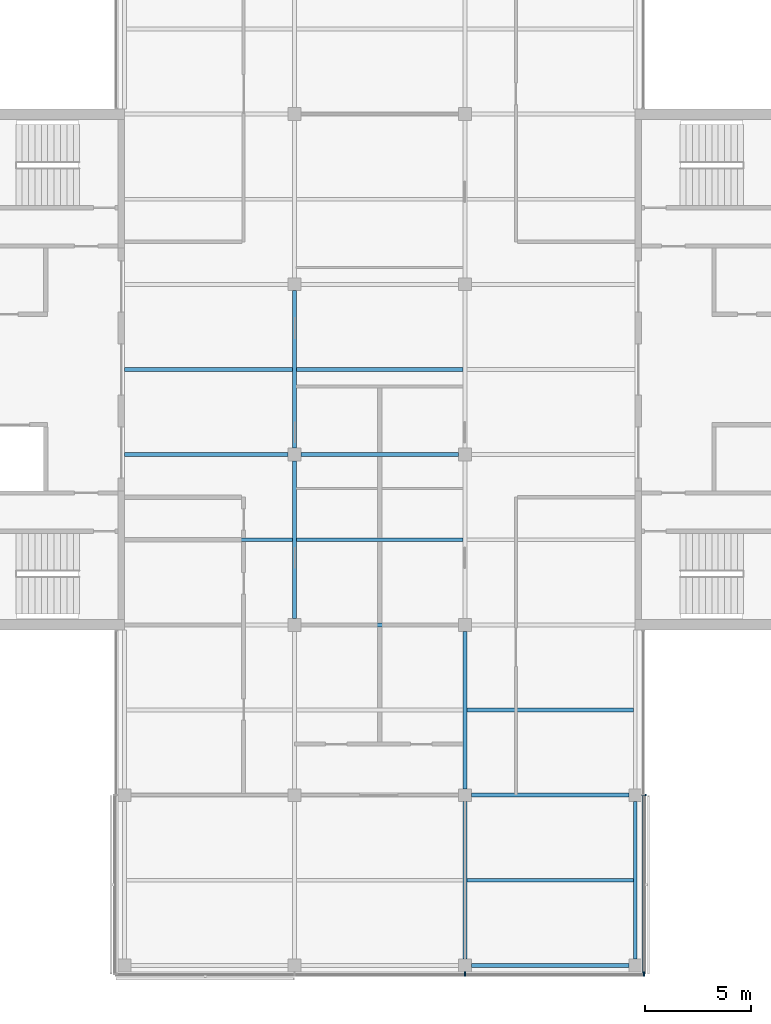
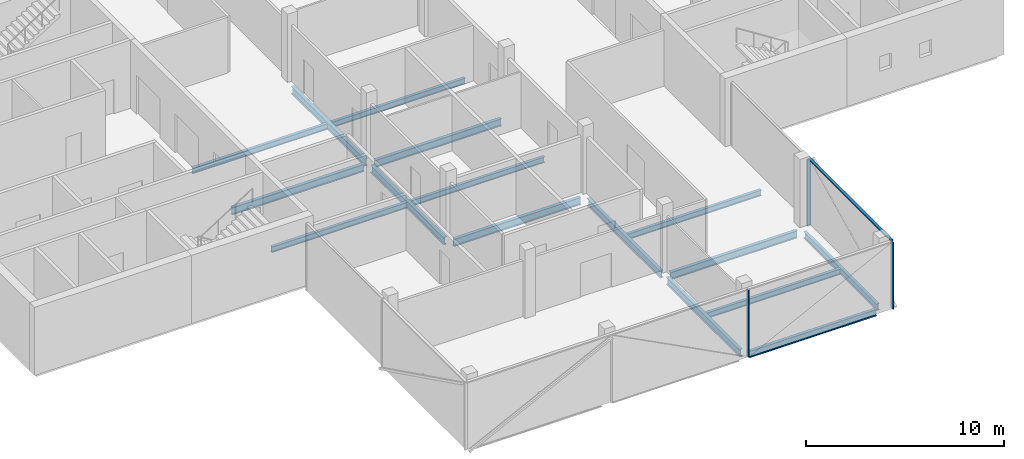
# One storey, part 3 of 15: 16 beams, 4 members, 2 elements without a shape of their own.
"""IFC4 building model written with IfcOpenShell, lengths in metres."""

from ifc_helpers import new_model, si_unit, direction, frame, origin, origin_2d, place, context, subcontext, project, spatial, rectangle, i_section, extrude, material, material_profile, profile_set, type_object, element, aggregate, save


model = new_model("IFC4")

# Units and contexts
model_context = context("Model", 3, precision=1e-05, world=origin(), true_north=direction((0.0, 1.0)))
body_context = subcontext(model_context, "Body", "Model", "MODEL_VIEW")
ifc_project = project(units=[si_unit("LENGTHUNIT", "METRE"), si_unit("AREAUNIT", "SQUARE_METRE"), si_unit("VOLUMEUNIT", "CUBIC_METRE"), si_unit("PLANEANGLEUNIT", "RADIAN"), si_unit("MASSUNIT", "GRAM", prefix="KILO")], contexts=[model_context])

# Site, building, storey
site_placement = place(None, origin())
site = spatial("IfcSite", under=ifc_project, at=site_placement, CompositionType="ELEMENT")
building_placement = place(site_placement, origin())
building = spatial("IfcBuilding", under=site, at=building_placement, Name="Crosswind Convention Tower", CompositionType="ELEMENT")
storey_placement = place(building_placement, frame((0.0, 0.0, 319.699951171875)))
storey = spatial("IfcBuildingStorey", under=building, at=storey_placement, Name="L69", CompositionType="ELEMENT", Elevation=319.699951171875)

# Beams
ifc_material_1 = material(Name="Steel S355", Category="steel")
ifc_material_profile_1 = material_profile(ifc_material_1, i_section(OverallWidth=0.177734375, OverallDepth=0.406494140625, WebThickness=0.0078125, FlangeThickness=0.0126953125, FilletRadius=0.01025390625, at=origin_2d()), Name="UB 406x178x60")
ifc_profile_set_1 = profile_set([ifc_material_profile_1], Name="Steel S355")
beam_type_1 = type_object("IfcBeamType", Name="Edge beam UB 406x178x60", PredefinedType="SPANDREL", material=ifc_profile_set_1)
for number, where, z_axis, x_axis, name in (
    (1, (129.300048828125, 72.0, -0.503173828125), (1.0, 0.0, 0.0), (0.0, 1.0, 0.0), "B15 L69 edge beam 9"),
    (2, (137.0, 72.300048828125, -0.503173828125), (0.0, 1.0, 0.0), (-1.0, 0.0, 0.0), "B15 L69 edge beam 11"),
):
    element("IfcBeam", number, at=place(storey_placement, frame(where, z_axis=z_axis, x_axis=x_axis)), inside=storey, type_object=beam_type_1, Name=name, PredefinedType="SPANDREL", context=body_context, shape_type="SweptSolid", body=[
        extrude(i_section(OverallWidth=0.177734375, OverallDepth=0.406494140625, WebThickness=0.0078125, FlangeThickness=0.0126953125, FilletRadius=0.01025390625, at=origin_2d()), origin(), (0.0, 0.0, 1.0), 7.39990234375),
    ])
ifc_material_profile_2 = material_profile(ifc_material_1, i_section(OverallWidth=0.18994140625, OverallDepth=0.45361328125, WebThickness=0.008544921875, FlangeThickness=0.0126953125, FilletRadius=0.01025390625, at=origin_2d()), Name="UB 457x191x67")
ifc_profile_set_2 = profile_set([ifc_material_profile_2], Name="Steel S355")
beam_type_2 = type_object("IfcBeamType", Name="Girder UB 457x191x67", PredefinedType="BEAM", material=ifc_profile_set_2)
for number, where, z_axis, x_axis, name in (
    (3, (121.0, 88.300048828125, -0.52685546875), (0.0, 1.0, 0.0), (-1.0, 0.0, 0.0), "B1 L69 girder 5"),
    (4, (121.0, 96.300048828125, -0.52685546875), (0.0, 1.0, 0.0), (-1.0, 0.0, 0.0), "B1 L69 girder 6"),
    (5, (121.300048828125, 88.0, -0.52685546875), (1.0, 0.0, 0.0), (0.0, 1.0, 0.0), "B1 L69 girder 11"),
    (6, (121.300048828125, 96.0, -0.52685546875), (1.0, 0.0, 0.0), (0.0, 1.0, 0.0), "B1 L69 girder 12"),
    (7, (129.0, 72.300048828125, -0.52685546875), (0.0, 1.0, 0.0), (-1.0, 0.0, 0.0), "B1 L69 girder 16"),
    (8, (129.0, 80.300048828125, -0.52685546875), (0.0, 1.0, 0.0), (-1.0, 0.0, 0.0), "B1 L69 girder 17"),
    (9, (129.300048828125, 80.0, -0.52685546875), (1.0, 0.0, 0.0), (0.0, 1.0, 0.0), "B1 L69 girder 23"),
):
    element("IfcBeam", number, at=place(storey_placement, frame(where, z_axis=z_axis, x_axis=x_axis)), inside=storey, type_object=beam_type_2, Name=name, PredefinedType="BEAM", context=body_context, shape_type="SweptSolid", body=[
        extrude(i_section(OverallWidth=0.18994140625, OverallDepth=0.45361328125, WebThickness=0.008544921875, FlangeThickness=0.0126953125, FilletRadius=0.01025390625, at=origin_2d()), origin(), (0.0, 0.0, 1.0), 7.39990234375),
    ])
ifc_material_profile_3 = material_profile(ifc_material_1, i_section(OverallWidth=0.1904296875, OverallDepth=0.457275390625, WebThickness=0.009033203125, FlangeThickness=0.014404296875, FilletRadius=0.01025390625, at=origin_2d()), Name="UB 457x191x75")
ifc_profile_set_3 = profile_set([ifc_material_profile_3], Name="Steel S355")
beam_type_3 = type_object("IfcBeamType", Name="Girder at core wall UB 457x191x75", PredefinedType="BEAM", material=ifc_profile_set_3)
beam_placement = place(storey_placement, frame((113.0, 96.0, -0.528564453125), z_axis=(1.0, 0.0, 0.0), x_axis=(0.0, 1.0, 0.0)))
element("IfcBeam", 10, at=beam_placement, inside=storey, type_object=beam_type_3, Name="B22 L69 girder at core wall 2", PredefinedType="BEAM", context=body_context, shape_type="SweptSolid", body=[
    extrude(i_section(OverallWidth=0.1904296875, OverallDepth=0.457275390625, WebThickness=0.009033203125, FlangeThickness=0.014404296875, FilletRadius=0.01025390625, at=origin_2d()), origin(), (0.0, 0.0, 1.0), 7.699951171875),
])

# Curtain wall, members
ifc_material_2 = material(Name="Aluminium unitised curtain wall", Category="aluminium")
curtain_wall_type = type_object("IfcCurtainWallType", Name="OFFICE UNITISED WALL 220", PredefinedType="USERDEFINED", material=ifc_material_2)
curtain_wall_1_placement = place(storey_placement, origin())
curtain_wall_1 = element("IfcCurtainWall", 11, at=curtain_wall_1_placement, inside=storey, type_object=curtain_wall_type, Name="CW3 L69 S-TIP 1", ObjectType="UNITISED", PredefinedType="USERDEFINED")
ifc_material_3 = material(Name="Aluminium mullion", Category="aluminium")
ifc_material_profile_4 = material_profile(ifc_material_3, rectangle(XDim=0.219970703125, YDim=0.070068359375, at=origin_2d()), Name="AL 220X70")
ifc_profile_set_4 = profile_set([ifc_material_profile_4], Name="Aluminium mullion")
member_type_1 = type_object("IfcMemberType", Name="MULLION 70X220", PredefinedType="MULLION", material=ifc_profile_set_4)
member_1_placement = place(storey_placement, frame((129.0, 71.590087890625, -0.300048828125), z_axis=(0.0, 0.0, 1.0), x_axis=(0.0, -1.0, 0.0)))
member_1 = element("IfcMember", 12, at=member_1_placement, type_object=member_type_1, Name="CW3 mullion 3", PredefinedType="MULLION", context=body_context, shape_type="SweptSolid", body=[
    extrude(rectangle(XDim=0.219970703125, YDim=0.070068359375, at=origin_2d()), origin(), (0.0, 0.0, 1.0), 4.130126953125),
])
member_2_placement = place(storey_placement, frame((137.409912109375, 71.590087890625, -0.300048828125), z_axis=(0.0, 0.0, 1.0), x_axis=(0.0, -1.0, 0.0)))
member_2 = element("IfcMember", 13, at=member_2_placement, type_object=member_type_1, Name="CW3 mullion 4", PredefinedType="MULLION", context=body_context, shape_type="SweptSolid", body=[
    extrude(rectangle(XDim=0.219970703125, YDim=0.070068359375, at=origin_2d()), origin(), (0.0, 0.0, 1.0), 4.130126953125),
])
aggregate(curtain_wall_1, [member_1, member_2])

# Curtain wall, member
curtain_wall_2_placement = place(storey_placement, origin())
curtain_wall_2 = element("IfcCurtainWall", 14, at=curtain_wall_2_placement, inside=storey, type_object=curtain_wall_type, Name="CW3 L69 S-E 1", ObjectType="UNITISED", PredefinedType="USERDEFINED")
member_3_placement = place(storey_placement, frame((137.409912109375, 80.0, -0.300048828125), z_axis=(0.0, 0.0, 1.0), x_axis=(1.0, 0.0, 0.0)))
member_3 = element("IfcMember", 15, at=member_3_placement, type_object=member_type_1, Name="CW3 mullion 2", PredefinedType="MULLION", context=body_context, shape_type="SweptSolid", body=[
    extrude(rectangle(XDim=0.219970703125, YDim=0.070068359375, at=origin_2d()), origin(), (0.0, 0.0, 1.0), 4.130126953125),
])

# Beams
ifc_material_profile_5 = material_profile(ifc_material_1, i_section(OverallWidth=0.17138671875, OverallDepth=0.355712890625, WebThickness=0.00732421875, FlangeThickness=0.011474609375, FilletRadius=0.01025390625, at=origin_2d()), Name="UB 356x171x51")
ifc_profile_set_5 = profile_set([ifc_material_profile_5], Name="Steel S355")
beam_type_4 = type_object("IfcBeamType", Name="Secondary beam UB 356x171x51", PredefinedType="JOIST", material=ifc_profile_set_5)
for number, where, z_axis, x_axis, name in (
    (16, (113.0, 92.0, -0.477783203125), (1.0, 0.0, 0.0), (0.0, 1.0, 0.0), "B8 L69 secondary beam 1"),
    (17, (113.0, 100.0, -0.477783203125), (1.0, 0.0, 0.0), (0.0, 1.0, 0.0), "B8 L69 secondary beam 2"),
):
    element("IfcBeam", number, at=place(storey_placement, frame(where, z_axis=z_axis, x_axis=x_axis)), inside=storey, type_object=beam_type_4, Name=name, PredefinedType="JOIST", context=body_context, shape_type="SweptSolid", body=[
        extrude(i_section(OverallWidth=0.17138671875, OverallDepth=0.355712890625, WebThickness=0.00732421875, FlangeThickness=0.011474609375, FilletRadius=0.01025390625, at=origin_2d()), origin(), (0.0, 0.0, 1.0), 7.905029296875),
    ])
for number, where, z_axis, x_axis, name in (
    (18, (121.094970703125, 92.0, -0.477783203125), (1.0, 0.0, 0.0), (0.0, 1.0, 0.0), "B8 L69 secondary beam 10"),
    (19, (121.094970703125, 100.0, -0.477783203125), (1.0, 0.0, 0.0), (0.0, 1.0, 0.0), "B8 L69 secondary beam 11"),
):
    element("IfcBeam", number, at=place(storey_placement, frame(where, z_axis=z_axis, x_axis=x_axis)), inside=storey, type_object=beam_type_4, Name=name, PredefinedType="JOIST", context=body_context, shape_type="SweptSolid", body=[
        extrude(i_section(OverallWidth=0.17138671875, OverallDepth=0.355712890625, WebThickness=0.00732421875, FlangeThickness=0.011474609375, FilletRadius=0.01025390625, at=origin_2d()), origin(), (0.0, 0.0, 1.0), 7.81005859375),
    ])
for number, where, z_axis, x_axis, name in (
    (20, (129.094970703125, 76.0, -0.477783203125), (1.0, 0.0, 0.0), (0.0, 1.0, 0.0), "B8 L69 secondary beam 15"),
    (21, (129.094970703125, 84.0, -0.477783203125), (1.0, 0.0, 0.0), (0.0, 1.0, 0.0), "B8 L69 secondary beam 16"),
):
    element("IfcBeam", number, at=place(storey_placement, frame(where, z_axis=z_axis, x_axis=x_axis)), inside=storey, type_object=beam_type_4, Name=name, PredefinedType="JOIST", context=body_context, shape_type="SweptSolid", body=[
        extrude(i_section(OverallWidth=0.17138671875, OverallDepth=0.355712890625, WebThickness=0.00732421875, FlangeThickness=0.011474609375, FilletRadius=0.01025390625, at=origin_2d()), origin(), (0.0, 0.0, 1.0), 7.816162109375),
    ])

# Member
ifc_material_4 = material(Name="Aluminium transom", Category="aluminium")
ifc_material_profile_6 = material_profile(ifc_material_4, rectangle(XDim=0.159912109375, YDim=0.070068359375, at=origin_2d()), Name="AL 160X70")
ifc_profile_set_6 = profile_set([ifc_material_profile_6], Name="Aluminium transom")
member_type_2 = type_object("IfcMemberType", Name="TRANSOM 70X160", PredefinedType="USERDEFINED", material=ifc_profile_set_6)
member_4_placement = place(storey_placement, frame((137.409912109375, 71.625, 3.864990234375), z_axis=(0.0, 1.0, 0.0), x_axis=(-1.0, 0.0, 0.0)))
member_4 = element("IfcMember", 22, at=member_4_placement, type_object=member_type_2, Name="CW3 transom", ObjectType="TRANSOM", PredefinedType="USERDEFINED", context=body_context, shape_type="SweptSolid", body=[
    extrude(rectangle(XDim=0.159912109375, YDim=0.070068359375, at=origin_2d()), origin(), (0.0, 0.0, 1.0), 8.340087890625),
])

aggregate(curtain_wall_2, [member_3, member_4])

save(model, "model.ifc")
